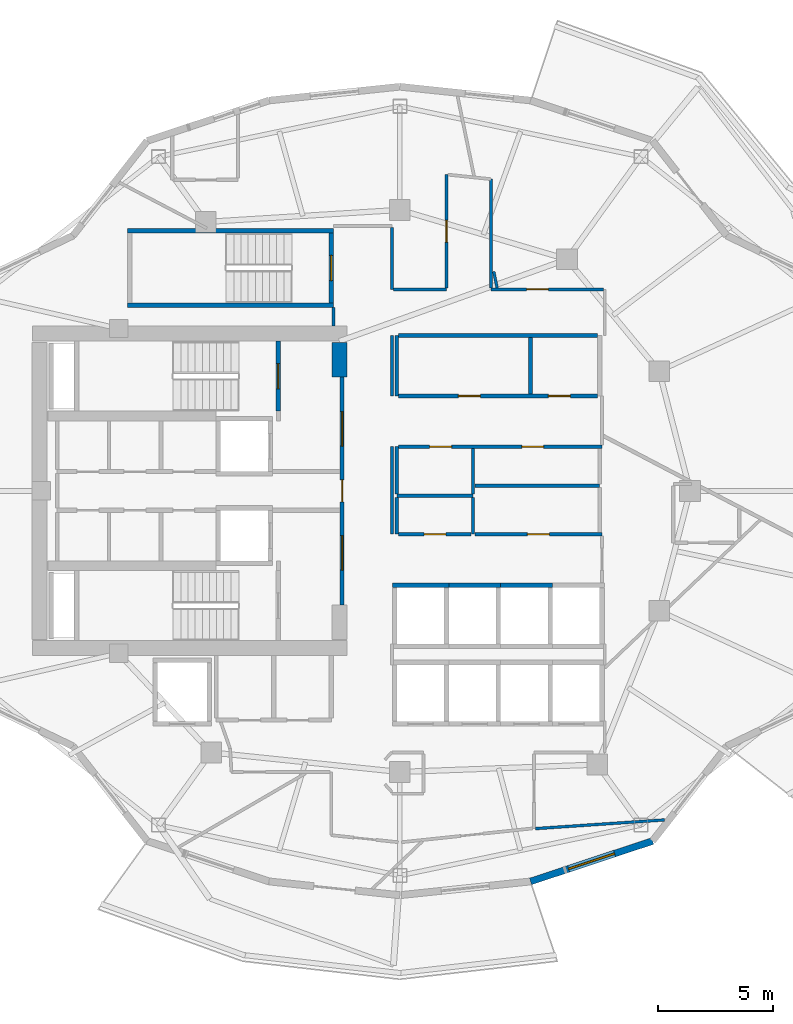
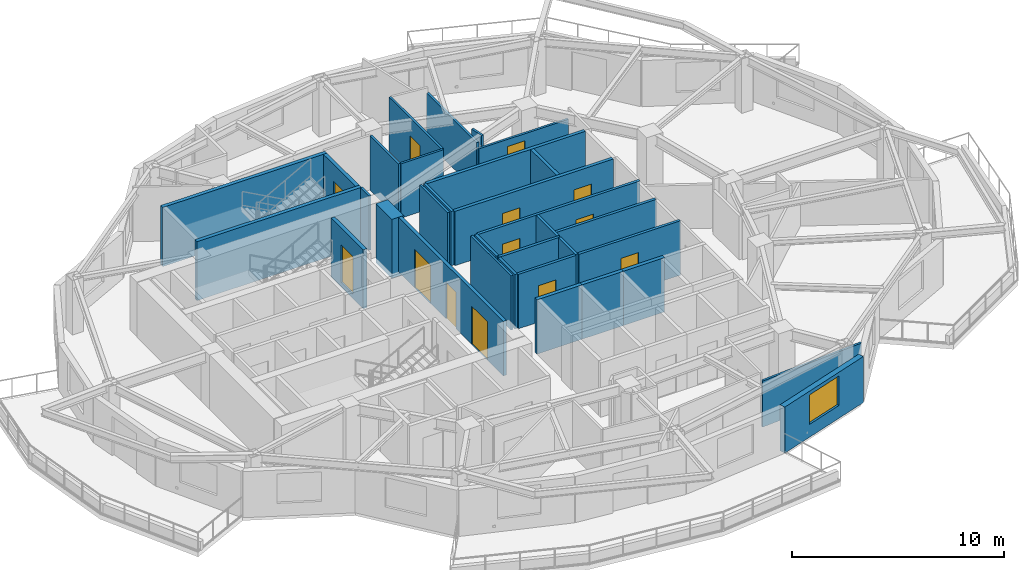
# One storey, part 5 of 11: 33 walls, 13 doors, 1 window, 14 openings.
"""IFC4 building model written with IfcOpenShell, lengths in metres."""

from ifc_helpers import new_model, si_unit, direction, frame, frame_2d, origin, place, context, subcontext, project, spatial, rectangle, extrude, material, layer, layer_set, type_object, element, fill, save


model = new_model("IFC4")

# Units and contexts
model_context = context("Model", 3, precision=1e-05, world=origin(), true_north=direction((0.0, 1.0)))
body_context = subcontext(model_context, "Body", "Model", "MODEL_VIEW")
ifc_project = project(units=[si_unit("LENGTHUNIT", "METRE"), si_unit("AREAUNIT", "SQUARE_METRE"), si_unit("VOLUMEUNIT", "CUBIC_METRE"), si_unit("PLANEANGLEUNIT", "RADIAN"), si_unit("MASSUNIT", "GRAM", prefix="KILO")], contexts=[model_context])

# Site, building, storey
site_placement = place(None, origin())
site = spatial("IfcSite", under=ifc_project, at=site_placement, CompositionType="ELEMENT")
building_placement = place(site_placement, origin())
building = spatial("IfcBuilding", under=site, at=building_placement, Name="Kolvaren Gate Tower and Convention Centre", CompositionType="ELEMENT")
storey_placement = place(building_placement, frame((0.0, 0.0, 159.699951171875)))
storey = spatial("IfcBuildingStorey", under=building, at=storey_placement, Name="L41", CompositionType="ELEMENT", Elevation=159.699951171875)

# Wall, openings, doors
ifc_material_1 = material(Name="Autoclaved Aerated Masonry Blockwork Class 4 (4.0 MPa)", Category="masonry")
ifc_layer_1 = layer(ifc_material_1, 0.179931640625)
ifc_layer_set_1 = layer_set([ifc_layer_1], Name="Autoclaved Aerated Masonry Blockwork Class 4 (4.0 MPa)")
wall_type_1 = type_object("IfcWallType", Name="ARCH-WL-COMP-180", PredefinedType="SOLIDWALL", material=ifc_layer_set_1)
wall_1_placement = place(storey_placement, frame((27.6201171875, 22.050048828125, 0.0), z_axis=(0.0, 0.0, 1.0), x_axis=(0.0, 1.0, 0.0)))
wall_1 = element("IfcWall", 1, at=wall_1_placement, inside=storey, type_object=wall_type_1, Name="Interior Partition WL-L41-INT-003", PredefinedType="SOLIDWALL", context=body_context, shape_type="SweptSolid", body=[
    extrude(rectangle(XDim=9.89990234375, YDim=0.179931640625, at=frame_2d((4.949951171875, 0.0))), origin(), (0.0, 0.0, 1.0), 3.130126953125),
])
opening_1_placement = place(wall_1_placement, frame((4.47509765625, 0.0, 0.0)))
opening_1 = element("IfcOpeningElement", 2, at=opening_1_placement, cuts=wall_1, Name="Opening DR-01", PredefinedType="OPENING", context=body_context, shape_type="SweptSolid", body=[
    extrude(rectangle(XDim=0.949951171875, YDim=2.10009765625, at=frame_2d((0.47509765625, 1.050048828125))), frame((0.0, 0.099853515625, 0.0), z_axis=(0.0, -1.0, 0.0), x_axis=(1.0, 0.0, 0.0)), (0.0, 0.0, 1.0), 0.199951171875),
])
opening_2_placement = place(wall_1_placement, frame((6.889892578125, 0.0, 0.0)))
opening_2 = element("IfcOpeningElement", 3, at=opening_2_placement, cuts=wall_1, Name="Opening DL-01", PredefinedType="OPENING", context=body_context, shape_type="SweptSolid", body=[
    extrude(rectangle(XDim=1.5, YDim=2.199951171875, at=frame_2d((0.75, 1.10009765625))), frame((0.0, 0.099853515625, 0.0), z_axis=(0.0, -1.0, 0.0), x_axis=(1.0, 0.0, 0.0)), (0.0, 0.0, 1.0), 0.199951171875),
])
opening_3_placement = place(wall_1_placement, frame((1.510009765625, 0.0, 0.0)))
opening_3 = element("IfcOpeningElement", 4, at=opening_3_placement, cuts=wall_1, Name="Opening DL-01", PredefinedType="OPENING", context=body_context, shape_type="SweptSolid", body=[
    extrude(rectangle(XDim=1.5, YDim=2.199951171875, at=frame_2d((0.75, 1.10009765625))), frame((0.0, 0.099853515625, 0.0), z_axis=(0.0, -1.0, 0.0), x_axis=(1.0, 0.0, 0.0)), (0.0, 0.0, 1.0), 0.199951171875),
])
ifc_material_2 = material(Name="Painted Architectural Steelwork ASTM A500 Grade C 345 MPa", Category="steel")
door_type_1 = type_object("IfcDoorType", Name="ARCH-DR-LOBBY-1500", OperationType="DOUBLE_DOOR_SINGLE_SWING", PredefinedType="DOOR", material=ifc_material_2)
door_1_placement = place(opening_2_placement, origin())
door_1 = element("IfcDoor", 5, at=door_1_placement, inside=storey, type_object=door_type_1, Name="North Firefighting Stair and Lift Lobby Door", OperationType="DOUBLE_DOOR_SINGLE_SWING", OverallHeight=2.199951171875, OverallWidth=1.5, PredefinedType="DOOR", context=body_context, shape_type="SweptSolid", body=[
    extrude(rectangle(XDim=1.5, YDim=2.199951171875, at=frame_2d((0.75, 1.10009765625))), frame((0.0, 0.02490234375, 0.0), z_axis=(0.0, -1.0, 0.0), x_axis=(1.0, 0.0, 0.0)), (0.0, 0.0, 1.0), 0.050048828125),
])
fill(opening_2, door_1)
door_2_placement = place(opening_3_placement, origin())
door_2 = element("IfcDoor", 6, at=door_2_placement, inside=storey, type_object=door_type_1, Name="South Firefighting Stair and Lift Lobby Door", OperationType="DOUBLE_DOOR_SINGLE_SWING", OverallHeight=2.199951171875, OverallWidth=1.5, PredefinedType="DOOR", context=body_context, shape_type="SweptSolid", body=[
    extrude(rectangle(XDim=1.5, YDim=2.199951171875, at=frame_2d((0.75, 1.10009765625))), frame((0.0, 0.02490234375, 0.0), z_axis=(0.0, -1.0, 0.0), x_axis=(1.0, 0.0, 0.0)), (0.0, 0.0, 1.0), 0.050048828125),
])
fill(opening_3, door_2)
door_type_2 = type_object("IfcDoorType", Name="ARCH-DR-RISER-950", OperationType="SINGLE_SWING_RIGHT", PredefinedType="DOOR", material=ifc_material_2)
door_3_placement = place(opening_1_placement, origin())
door_3 = element("IfcDoor", 7, at=door_3_placement, inside=storey, type_object=door_type_2, Name="Central MEP Service Corridor Door", OperationType="SINGLE_SWING_LEFT", OverallHeight=2.10009765625, OverallWidth=0.949951171875, PredefinedType="DOOR", context=body_context, shape_type="SweptSolid", body=[
    extrude(rectangle(XDim=0.949951171875, YDim=2.10009765625, at=frame_2d((0.47509765625, 1.050048828125))), frame((0.0, 0.02490234375, 0.0), z_axis=(0.0, -1.0, 0.0), x_axis=(1.0, 0.0, 0.0)), (0.0, 0.0, 1.0), 0.050048828125),
])
fill(opening_1, door_3)

wall_2_placement = place(storey_placement, frame((30.076904296875, 31.1201171875, 0.0), z_axis=(0.0, 0.0, 1.0), x_axis=(1.0, 0.0, 0.0)))
wall_2 = element("IfcWall", 8, at=wall_2_placement, inside=storey, type_object=wall_type_1, Name="Interior Partition WL-L41-INT-025", PredefinedType="SOLIDWALL", context=body_context, shape_type="SweptSolid", body=[
    extrude(rectangle(XDim=8.631103515625, YDim=0.179931640625, at=frame_2d((4.3154296875, 0.0))), origin(), (0.0, 0.0, 1.0), 3.130126953125),
])
opening_4_placement = place(wall_2_placement, frame((2.591552734375, 0.0, 0.0)))
opening_4 = element("IfcOpeningElement", 9, at=opening_4_placement, cuts=wall_2, Name="Opening DR-01", PredefinedType="OPENING", context=body_context, shape_type="SweptSolid", body=[
    extrude(rectangle(XDim=0.949951171875, YDim=2.10009765625, at=frame_2d((0.47509765625, 1.050048828125))), frame((0.0, 0.099853515625, 0.0), z_axis=(0.0, -1.0, 0.0), x_axis=(1.0, 0.0, 0.0)), (0.0, 0.0, 1.0), 0.199951171875),
])
opening_5_placement = place(wall_2_placement, frame((6.4970703125, 0.0, 0.0)))
opening_5 = element("IfcOpeningElement", 10, at=opening_5_placement, cuts=wall_2, Name="Opening DR-01", PredefinedType="OPENING", context=body_context, shape_type="SweptSolid", body=[
    extrude(rectangle(XDim=0.949951171875, YDim=2.10009765625, at=frame_2d((0.47509765625, 1.050048828125))), frame((0.0, 0.099853515625, 0.0), z_axis=(0.0, -1.0, 0.0), x_axis=(1.0, 0.0, 0.0)), (0.0, 0.0, 1.0), 0.199951171875),
])
door_4_placement = place(opening_4_placement, origin())
door_4 = element("IfcDoor", 11, at=door_4_placement, inside=storey, type_object=door_type_2, Name="Steward Supply Store Door", OperationType="SINGLE_SWING_RIGHT", OverallHeight=2.10009765625, OverallWidth=0.949951171875, PredefinedType="DOOR", context=body_context, shape_type="SweptSolid", body=[
    extrude(rectangle(XDim=0.949951171875, YDim=2.10009765625, at=frame_2d((0.47509765625, 1.050048828125))), frame((0.0, 0.02490234375, 0.0), z_axis=(0.0, -1.0, 0.0), x_axis=(1.0, 0.0, 0.0)), (0.0, 0.0, 1.0), 0.050048828125),
])
fill(opening_4, door_4)
door_5_placement = place(opening_5_placement, origin())
door_5 = element("IfcDoor", 12, at=door_5_placement, inside=storey, type_object=door_type_2, Name="Floor Telecom Switch Room Door", OperationType="SINGLE_SWING_LEFT", OverallHeight=2.10009765625, OverallWidth=0.949951171875, PredefinedType="DOOR", context=body_context, shape_type="SweptSolid", body=[
    extrude(rectangle(XDim=0.949951171875, YDim=2.10009765625, at=frame_2d((0.47509765625, 1.050048828125))), frame((0.0, 0.02490234375, 0.0), z_axis=(0.0, -1.0, 0.0), x_axis=(1.0, 0.0, 0.0)), (0.0, 0.0, 1.0), 0.050048828125),
])
fill(opening_5, door_5)

# Walls
wall_3_placement = place(storey_placement, frame((30.076904296875, 33.75, 0.0), z_axis=(0.0, 0.0, 1.0), x_axis=(1.0, 0.0, 0.0)))
element("IfcWall", 13, at=wall_3_placement, inside=storey, type_object=wall_type_1, Name="Interior Partition WL-L41-INT-026", PredefinedType="SOLIDWALL", context=body_context, shape_type="SweptSolid", body=[
    extrude(rectangle(XDim=8.631103515625, YDim=0.179931640625, at=frame_2d((4.3154296875, 0.0))), origin(), (0.0, 0.0, 1.0), 3.130126953125),
])
wall_4_placement = place(storey_placement, frame((35.800048828125, 31.2119140625, 0.0), z_axis=(0.0, 0.0, 1.0), x_axis=(0.0, 1.0, 0.0)))
element("IfcWall", 14, at=wall_4_placement, inside=storey, type_object=wall_type_1, Name="Interior Partition WL-L41-INT-027", PredefinedType="SOLIDWALL", context=body_context, shape_type="SweptSolid", body=[
    extrude(rectangle(XDim=2.446044921875, YDim=0.179931640625, at=frame_2d((1.22314453125, 0.0))), origin(), (0.0, 0.0, 1.0), 3.130126953125),
])
ifc_material_3 = material(Name="Fire-Rated Acoustic Gypsum Stud Partition", Category="gypsum")
ifc_layer_2 = layer(ifc_material_3, 0.1201171875)
ifc_layer_set_2 = layer_set([ifc_layer_2], Name="Fire-Rated Acoustic Gypsum Stud Partition")
wall_type_2 = type_object("IfcWallType", Name="ARCH-WL-PART-120", PredefinedType="PARTITIONING", material=ifc_layer_set_2)
wall_5_placement = place(storey_placement, frame((27.25, 34.152099609375, 0.0), z_axis=(0.0, 0.0, 1.0), x_axis=(0.0, 1.0, 0.0)))
element("IfcWall", 15, at=wall_5_placement, inside=storey, type_object=wall_type_2, Name="Interior Partition WL-L41-INT-038", PredefinedType="PARTITIONING", context=body_context, shape_type="SweptSolid", body=[
    extrude(rectangle(XDim=0.805908203125, YDim=0.1201171875, at=frame_2d((0.40283203125, 0.0))), origin(), (0.0, 0.0, 1.0), 3.130126953125),
])
wall_6_placement = place(storey_placement, frame((29.780029296875, 25.1201171875, 0.0), z_axis=(0.0, 0.0, 1.0), x_axis=(0.0, 1.0, 0.0)))
element("IfcWall", 16, at=wall_6_placement, inside=storey, type_object=wall_type_2, Name="Interior Partition WL-L41-INT-041", PredefinedType="PARTITIONING", context=body_context, shape_type="SweptSolid", body=[
    extrude(rectangle(XDim=3.7998046875, YDim=0.1201171875, at=frame_2d((1.89990234375, 0.0))), origin(), (0.0, 0.0, 1.0), 3.130126953125),
])
wall_7_placement = place(storey_placement, frame((29.780029296875, 31.1201171875, 0.0), z_axis=(0.0, 0.0, 1.0), x_axis=(0.0, 1.0, 0.0)))
element("IfcWall", 17, at=wall_7_placement, inside=storey, type_object=wall_type_2, Name="Interior Partition WL-L41-INT-042", PredefinedType="PARTITIONING", context=body_context, shape_type="SweptSolid", body=[
    extrude(rectangle(XDim=2.6298828125, YDim=0.1201171875, at=frame_2d((1.31494140625, 0.0))), origin(), (0.0, 0.0, 1.0), 3.130126953125),
])
wall_8_placement = place(storey_placement, frame((29.780029296875, 35.75, 0.0), z_axis=(0.0, 0.0, 1.0), x_axis=(0.0, 1.0, 0.0)))
element("IfcWall", 18, at=wall_8_placement, inside=storey, type_object=wall_type_2, Name="Interior Partition WL-L41-INT-043", PredefinedType="PARTITIONING", context=body_context, shape_type="SweptSolid", body=[
    extrude(rectangle(XDim=2.68798828125, YDim=0.1201171875, at=frame_2d((1.343994140625, 0.0))), origin(), (0.0, 0.0, 1.0), 3.130126953125),
])
wall_9_placement = place(storey_placement, frame((29.842041015625, 35.75, 0.0), z_axis=(0.0, 0.0, 1.0), x_axis=(1.0, 0.0, 0.0)))
element("IfcWall", 19, at=wall_9_placement, inside=storey, type_object=wall_type_2, Name="Interior Partition WL-L41-INT-044", PredefinedType="PARTITIONING", context=body_context, shape_type="SweptSolid", body=[
    extrude(rectangle(XDim=2.307861328125, YDim=0.1201171875, at=frame_2d((1.15380859375, 0.0))), origin(), (0.0, 0.0, 1.0), 3.130126953125),
])

# Wall, opening, door
wall_10_placement = place(storey_placement, frame((34.080078125, 35.75, 0.0), z_axis=(0.0, 0.0, 1.0), x_axis=(1.0, 0.0, 0.0)))
wall_10 = element("IfcWall", 20, at=wall_10_placement, inside=storey, type_object=wall_type_2, Name="Interior Partition WL-L41-INT-045", PredefinedType="PARTITIONING", context=body_context, shape_type="SweptSolid", body=[
    extrude(rectangle(XDim=4.8779296875, YDim=0.1201171875, at=frame_2d((2.43896484375, 0.0))), origin(), (0.0, 0.0, 1.0), 2.505126953125),
])
opening_6_placement = place(wall_10_placement, frame((1.5439453125, 0.0, 0.0)))
opening_6 = element("IfcOpeningElement", 21, at=opening_6_placement, cuts=wall_10, Name="Opening DR-01", PredefinedType="OPENING", context=body_context, shape_type="SweptSolid", body=[
    extrude(rectangle(XDim=0.949951171875, YDim=2.10009765625, at=frame_2d((0.47509765625, 1.050048828125))), frame((0.0, 0.070068359375, 0.0), z_axis=(0.0, -1.0, 0.0), x_axis=(1.0, 0.0, 0.0)), (0.0, 0.0, 1.0), 0.14013671875),
])
door_6_placement = place(opening_6_placement, origin())
door_6 = element("IfcDoor", 22, at=door_6_placement, inside=storey, type_object=door_type_2, Name="Hotel Botanical Clubroom Door", OperationType="SINGLE_SWING_LEFT", OverallHeight=2.10009765625, OverallWidth=0.949951171875, PredefinedType="DOOR", context=body_context, shape_type="SweptSolid", body=[
    extrude(rectangle(XDim=0.949951171875, YDim=2.10009765625, at=frame_2d((0.47509765625, 1.050048828125))), frame((0.0, 0.02490234375, 0.0), z_axis=(0.0, -1.0, 0.0), x_axis=(1.0, 0.0, 0.0)), (0.0, 0.0, 1.0), 0.050048828125),
])
fill(opening_6, door_6)

wall_11_placement = place(storey_placement, frame((32.14990234375, 35.81201171875, 0.0), z_axis=(0.0, 0.0, 1.0), x_axis=(0.0, 1.0, 0.0)))
wall_11 = element("IfcWall", 23, at=wall_11_placement, inside=storey, type_object=wall_type_2, Name="Interior Partition WL-L41-INT-046", PredefinedType="PARTITIONING", context=body_context, shape_type="SweptSolid", body=[
    extrude(rectangle(XDim=4.925048828125, YDim=0.1201171875, at=frame_2d((2.46240234375, 0.0))), origin(), (0.0, 0.0, 1.0), 3.130126953125),
])
opening_7_placement = place(wall_11_placement, frame((1.987548828125, 0.0, 0.0)))
opening_7 = element("IfcOpeningElement", 24, at=opening_7_placement, cuts=wall_11, Name="Opening DR-01", PredefinedType="OPENING", context=body_context, shape_type="SweptSolid", body=[
    extrude(rectangle(XDim=0.949951171875, YDim=2.10009765625, at=frame_2d((0.47509765625, 1.050048828125))), frame((0.0, 0.070068359375, 0.0), z_axis=(0.0, -1.0, 0.0), x_axis=(1.0, 0.0, 0.0)), (0.0, 0.0, 1.0), 0.14013671875),
])
door_7_placement = place(opening_7_placement, origin())
door_7 = element("IfcDoor", 25, at=door_7_placement, inside=storey, type_object=door_type_2, Name="Hotel Guest Room (HTL-L41-07) Door", OperationType="SINGLE_SWING_RIGHT", OverallHeight=2.10009765625, OverallWidth=0.949951171875, PredefinedType="DOOR", context=body_context, shape_type="SweptSolid", body=[
    extrude(rectangle(XDim=0.949951171875, YDim=2.10009765625, at=frame_2d((0.47509765625, 1.050048828125))), frame((0.0, 0.02490234375, 0.0), z_axis=(0.0, -1.0, 0.0), x_axis=(1.0, 0.0, 0.0)), (0.0, 0.0, 1.0), 0.050048828125),
])
fill(opening_7, door_7)

# Walls
wall_12_placement = place(storey_placement, frame((34.080078125, 35.81201171875, 0.0), z_axis=(0.0, 0.0, 1.0), x_axis=(0.0, 1.0, 0.0)))
element("IfcWall", 26, at=wall_12_placement, inside=storey, type_object=wall_type_2, Name="Interior Partition WL-L41-INT-048", PredefinedType="PARTITIONING", context=body_context, shape_type="SweptSolid", body=[
    extrude(rectangle(XDim=4.721923828125, YDim=0.1201171875, at=frame_2d((2.36083984375, 0.0))), origin(), (0.0, 0.0, 1.0), 2.81201171875),
])
wall_13_placement = place(storey_placement, frame((36.011962890625, 12.34033203125, 0.0), z_axis=(0.0, 0.0, 1.0), x_axis=(0.997733146572, 0.067294637466, 0.0)))
element("IfcWall", 27, at=wall_13_placement, inside=storey, type_object=wall_type_2, Name="Interior Partition WL-L41-INT-060", PredefinedType="PARTITIONING", context=body_context, shape_type="SweptSolid", body=[
    extrude(rectangle(XDim=5.61962890625, YDim=0.1201171875, at=frame_2d((2.809814453125, 0.0))), origin(), (0.0, 0.0, 1.0), 2.653076171875),
])
wall_14_placement = place(storey_placement, frame((34.201904296875, 36.520751953125, 0.0), z_axis=(0.0, 0.0, 1.0), x_axis=(0.202081256143, -0.979368758903, 0.0)))
element("IfcWall", 28, at=wall_14_placement, inside=storey, type_object=wall_type_2, Name="Interior Partition WL-L41-INT-066", PredefinedType="PARTITIONING", context=body_context, shape_type="SweptSolid", body=[
    extrude(rectangle(XDim=0.7236328125, YDim=0.1201171875, at=frame_2d((0.36181640625, 0.0))), origin(), (0.0, 0.0, 1.0), 3.130126953125),
])
ifc_layer_3 = layer(ifc_material_1, 0.199951171875)
ifc_layer_set_3 = layer_set([ifc_layer_3], Name="Autoclaved Aerated Masonry Blockwork Class 4 (4.0 MPa)")
wall_type_3 = type_object("IfcWallType", Name="ARCH-WL-SHAFT-200", PredefinedType="SOLIDWALL", material=ifc_layer_set_3)
wall_15_placement = place(storey_placement, frame((29.800048828125, 22.89990234375, 0.0), z_axis=(0.0, 0.0, 1.0), x_axis=(1.0, 0.0, 0.0)))
element("IfcWall", 29, at=wall_15_placement, inside=storey, type_object=wall_type_3, Name="Elevator PL-09 L41 Fire Shaft Wall N", PredefinedType="SOLIDWALL", context=body_context, shape_type="SweptSolid", body=[
    extrude(rectangle(XDim=2.449951171875, YDim=0.199951171875, at=frame_2d((1.22509765625, 0.0))), origin(), (0.0, 0.0, 1.0), 3.130126953125),
])
for number, where, z_axis, x_axis, name in (
    (30, (32.25, 22.89990234375, 0.0), (0.0, 0.0, 1.0), (1.0, 0.0, 0.0), "Elevator PL-10 L41 Fire Shaft Wall N"),
    (31, (34.5, 22.89990234375, 0.0), (0.0, 0.0, 1.0), (1.0, 0.0, 0.0), "Elevator PL-11 L41 Fire Shaft Wall N"),
):
    element("IfcWall", number, at=place(storey_placement, frame(where, z_axis=z_axis, x_axis=x_axis)), inside=storey, type_object=wall_type_3, Name=name, PredefinedType="SOLIDWALL", context=body_context, shape_type="SweptSolid", body=[
        extrude(rectangle(XDim=2.25, YDim=0.199951171875, at=frame_2d((1.125, 0.0))), origin(), (0.0, 0.0, 1.0), 3.130126953125),
    ])

# Wall, opening, window
ifc_material_4 = material(Name="Piedmont Cream Honed Limestone Cladding", Category="masonry")
ifc_layer_4 = layer(ifc_material_4, 0.300048828125)
ifc_layer_set_4 = layer_set([ifc_layer_4], Name="Piedmont Cream Honed Limestone Cladding")
wall_type_4 = type_object("IfcWallType", Name="ARCH-WL-STONE-300", PredefinedType="SOLIDWALL", material=ifc_layer_set_4)
wall_16_placement = place(storey_placement, frame((35.802734375, 10.048095703125, 0.0), z_axis=(0.0, 0.0, 1.0), x_axis=(0.949246811547, 0.314532177636, 0.0)))
wall_16 = element("IfcWall", 32, at=wall_16_placement, inside=storey, type_object=wall_type_4, Name="Tower L41 Honed Stone Spandrel Wall EW-19", PredefinedType="SOLIDWALL", context=body_context, shape_type="SweptSolid", body=[
    extrude(rectangle(XDim=5.573974609375, YDim=0.300048828125, at=frame_2d((2.787109375, 0.0))), origin(), (0.0, 0.0, 1.0), 2.653076171875),
])
opening_8_placement = place(wall_16_placement, frame((1.737060546875, 0.0, 0.739990234375)))
opening_8 = element("IfcOpeningElement", 33, at=opening_8_placement, cuts=wall_16, Name="Opening W-02", PredefinedType="OPENING", context=body_context, shape_type="SweptSolid", body=[
    extrude(rectangle(XDim=2.10009765625, YDim=1.699951171875, at=frame_2d((1.050048828125, 0.85009765625))), frame((0.0, 0.159912109375, 0.0), z_axis=(0.0, -1.0, 0.0), x_axis=(1.0, 0.0, 0.0)), (0.0, 0.0, 1.0), 0.320068359375),
])
ifc_material_5 = material(Name="Low-E Triple Insulated Glazing Unit 44 mm", Category="glass")
window_type = type_object("IfcWindowType", Name="ARCH-WN-HTL-2100", PartitioningType="SINGLE_PANEL", PredefinedType="WINDOW", material=ifc_material_5)
window_placement = place(opening_8_placement, origin())
window = element("IfcWindow", 34, at=window_placement, inside=storey, type_object=window_type, Name="Tower L41 Punched Stone Facade Window W-19", OverallHeight=1.699951171875, OverallWidth=2.10009765625, PartitioningType="SINGLE_PANEL", PredefinedType="WINDOW", context=body_context, shape_type="SweptSolid", body=[
    extrude(rectangle(XDim=2.10009765625, YDim=1.699951171875, at=frame_2d((1.050048828125, 0.85009765625))), frame((0.0, 0.030029296875, 0.0), z_axis=(0.0, -1.0, 0.0), x_axis=(1.0, 0.0, 0.0)), (0.0, 0.0, 1.0), 0.06005859375),
])
fill(opening_8, window)

# Walls
ifc_material_6 = material(Name="Moisture-Resistant Cement-Board Acoustic Partition", Category="gypsum")
ifc_layer_5 = layer(ifc_material_6, 0.14990234375)
ifc_layer_set_5 = layer_set([ifc_layer_5], Name="Moisture-Resistant Cement-Board Acoustic Partition")
wall_type_5 = type_object("IfcWallType", Name="ARCH-WL-WET-150", PredefinedType="PARTITIONING", material=ifc_layer_set_5)
wall_17_placement = place(storey_placement, frame((30.0, 26.800048828125, 0.0), z_axis=(0.0, 0.0, 1.0), x_axis=(1.0, 0.0, 0.0)))
element("IfcWall", 35, at=wall_17_placement, inside=storey, type_object=wall_type_5, Name="Interior Partition WL-L41-INT-016", PredefinedType="PARTITIONING", context=body_context, shape_type="SweptSolid", body=[
    extrude(rectangle(XDim=3.300048828125, YDim=0.14990234375, at=frame_2d((1.64990234375, 0.0))), origin(), (0.0, 0.0, 1.0), 3.130126953125),
])
wall_18_placement = place(storey_placement, frame((30.0, 25.1201171875, 0.0), z_axis=(0.0, 0.0, 1.0), x_axis=(0.0, 1.0, 0.0)))
element("IfcWall", 36, at=wall_18_placement, inside=storey, type_object=wall_type_5, Name="Interior Partition WL-L41-INT-017", PredefinedType="PARTITIONING", context=body_context, shape_type="SweptSolid", body=[
    extrude(rectangle(XDim=1.602783203125, YDim=0.14990234375, at=frame_2d((0.80126953125, 0.0))), origin(), (0.0, 0.0, 1.0), 3.130126953125),
])
wall_19_placement = place(storey_placement, frame((30.0, 26.876953125, 0.0), z_axis=(0.0, 0.0, 1.0), x_axis=(0.0, 1.0, 0.0)))
element("IfcWall", 37, at=wall_19_placement, inside=storey, type_object=wall_type_5, Name="Interior Partition WL-L41-INT-017 (2)", PredefinedType="PARTITIONING", context=body_context, shape_type="SweptSolid", body=[
    extrude(rectangle(XDim=2.04296875, YDim=0.14990234375, at=frame_2d((1.021484375, 0.0))), origin(), (0.0, 0.0, 1.0), 3.130126953125),
])
wall_20_placement = place(storey_placement, frame((30.0, 31.1201171875, 0.0), z_axis=(0.0, 0.0, 1.0), x_axis=(0.0, 1.0, 0.0)))
element("IfcWall", 38, at=wall_20_placement, inside=storey, type_object=wall_type_5, Name="Interior Partition WL-L41-INT-018", PredefinedType="PARTITIONING", context=body_context, shape_type="SweptSolid", body=[
    extrude(rectangle(XDim=2.6298828125, YDim=0.14990234375, at=frame_2d((1.31494140625, 0.0))), origin(), (0.0, 0.0, 1.0), 3.130126953125),
])

# Wall, openings, doors
wall_21_placement = place(storey_placement, frame((30.076904296875, 28.919921875, 0.0), z_axis=(0.0, 0.0, 1.0), x_axis=(1.0, 0.0, 0.0)))
wall_21 = element("IfcWall", 39, at=wall_21_placement, inside=storey, type_object=wall_type_5, Name="Interior Partition WL-L41-INT-019", PredefinedType="PARTITIONING", context=body_context, shape_type="SweptSolid", body=[
    extrude(rectangle(XDim=8.822998046875, YDim=0.14990234375, at=frame_2d((4.41162109375, 0.0))), origin(), (0.0, 0.0, 1.0), 3.130126953125),
])
opening_9_placement = place(wall_21_placement, frame((1.341552734375, 0.0, 0.0)))
opening_9 = element("IfcOpeningElement", 40, at=opening_9_placement, cuts=wall_21, Name="Opening DR-01", PredefinedType="OPENING", context=body_context, shape_type="SweptSolid", body=[
    extrude(rectangle(XDim=0.949951171875, YDim=2.10009765625, at=frame_2d((0.47509765625, 1.050048828125))), frame((0.0, 0.0849609375, 0.0), z_axis=(0.0, -1.0, 0.0), x_axis=(1.0, 0.0, 0.0)), (0.0, 0.0, 1.0), 0.169921875),
])
opening_10_placement = place(wall_21_placement, frame((5.343017578125, 0.0, 0.0)))
opening_10 = element("IfcOpeningElement", 41, at=opening_10_placement, cuts=wall_21, Name="Opening DR-01", PredefinedType="OPENING", context=body_context, shape_type="SweptSolid", body=[
    extrude(rectangle(XDim=0.949951171875, YDim=2.10009765625, at=frame_2d((0.47509765625, 1.050048828125))), frame((0.0, 0.0849609375, 0.0), z_axis=(0.0, -1.0, 0.0), x_axis=(1.0, 0.0, 0.0)), (0.0, 0.0, 1.0), 0.169921875),
])
door_8_placement = place(opening_9_placement, origin())
door_8 = element("IfcDoor", 42, at=door_8_placement, inside=storey, type_object=door_type_2, Name="Accessible North Washroom Door", OperationType="SINGLE_SWING_RIGHT", OverallHeight=2.10009765625, OverallWidth=0.949951171875, PredefinedType="DOOR", context=body_context, shape_type="SweptSolid", body=[
    extrude(rectangle(XDim=0.949951171875, YDim=2.10009765625, at=frame_2d((0.47509765625, 1.050048828125))), frame((0.0, 0.02490234375, 0.0), z_axis=(0.0, -1.0, 0.0), x_axis=(1.0, 0.0, 0.0)), (0.0, 0.0, 1.0), 0.050048828125),
])
fill(opening_9, door_8)
door_9_placement = place(opening_10_placement, origin())
door_9 = element("IfcDoor", 43, at=door_9_placement, inside=storey, type_object=door_type_2, Name="Hotel Housekeeping and Linen Store Door", OperationType="SINGLE_SWING_RIGHT", OverallHeight=2.10009765625, OverallWidth=0.949951171875, PredefinedType="DOOR", context=body_context, shape_type="SweptSolid", body=[
    extrude(rectangle(XDim=0.949951171875, YDim=2.10009765625, at=frame_2d((0.47509765625, 1.050048828125))), frame((0.0, 0.02490234375, 0.0), z_axis=(0.0, -1.0, 0.0), x_axis=(1.0, 0.0, 0.0)), (0.0, 0.0, 1.0), 0.050048828125),
])
fill(opening_10, door_9)

# Walls
wall_22_placement = place(storey_placement, frame((33.300048828125, 25.1201171875, 0.0), z_axis=(0.0, 0.0, 1.0), x_axis=(0.0, 1.0, 0.0)))
element("IfcWall", 44, at=wall_22_placement, inside=storey, type_object=wall_type_5, Name="Interior Partition WL-L41-INT-020", PredefinedType="PARTITIONING", context=body_context, shape_type="SweptSolid", body=[
    extrude(rectangle(XDim=1.602783203125, YDim=0.14990234375, at=frame_2d((0.80126953125, 0.0))), origin(), (0.0, 0.0, 1.0), 3.130126953125),
])
wall_23_placement = place(storey_placement, frame((33.300048828125, 26.876953125, 0.0), z_axis=(0.0, 0.0, 1.0), x_axis=(0.0, 1.0, 0.0)))
element("IfcWall", 45, at=wall_23_placement, inside=storey, type_object=wall_type_5, Name="Interior Partition WL-L41-INT-020 (2)", PredefinedType="PARTITIONING", context=body_context, shape_type="SweptSolid", body=[
    extrude(rectangle(XDim=1.966064453125, YDim=0.14990234375, at=frame_2d((0.98291015625, 0.0))), origin(), (0.0, 0.0, 1.0), 3.130126953125),
])

# Wall, opening, door
wall_24_placement = place(storey_placement, frame((30.076904296875, 25.1201171875, 0.0), z_axis=(0.0, 0.0, 1.0), x_axis=(1.0, 0.0, 0.0)))
wall_24 = element("IfcWall", 46, at=wall_24_placement, inside=storey, type_object=wall_type_5, Name="Interior Partition WL-L41-INT-021", PredefinedType="PARTITIONING", context=body_context, shape_type="SweptSolid", body=[
    extrude(rectangle(XDim=3.14599609375, YDim=0.14990234375, at=frame_2d((1.572998046875, 0.0))), origin(), (0.0, 0.0, 1.0), 3.130126953125),
])
opening_11_placement = place(wall_24_placement, frame((1.097900390625, 0.0, 0.0)))
opening_11 = element("IfcOpeningElement", 47, at=opening_11_placement, cuts=wall_24, Name="Opening DR-01", PredefinedType="OPENING", context=body_context, shape_type="SweptSolid", body=[
    extrude(rectangle(XDim=0.949951171875, YDim=2.10009765625, at=frame_2d((0.47509765625, 1.050048828125))), frame((0.0, 0.0849609375, 0.0), z_axis=(0.0, -1.0, 0.0), x_axis=(1.0, 0.0, 0.0)), (0.0, 0.0, 1.0), 0.169921875),
])
door_10_placement = place(opening_11_placement, origin())
door_10 = element("IfcDoor", 48, at=door_10_placement, inside=storey, type_object=door_type_2, Name="South Visitor Washroom Door", OperationType="SINGLE_SWING_LEFT", OverallHeight=2.10009765625, OverallWidth=0.949951171875, PredefinedType="DOOR", context=body_context, shape_type="SweptSolid", body=[
    extrude(rectangle(XDim=0.949951171875, YDim=2.10009765625, at=frame_2d((0.47509765625, 1.050048828125))), frame((0.0, 0.02490234375, 0.0), z_axis=(0.0, -1.0, 0.0), x_axis=(1.0, 0.0, 0.0)), (0.0, 0.0, 1.0), 0.050048828125),
])
fill(opening_11, door_10)

wall_25_placement = place(storey_placement, frame((33.376953125, 25.1201171875, 0.0), z_axis=(0.0, 0.0, 1.0), x_axis=(1.0, 0.0, 0.0)))
wall_25 = element("IfcWall", 49, at=wall_25_placement, inside=storey, type_object=wall_type_5, Name="Interior Partition WL-L41-INT-021 (2)", PredefinedType="PARTITIONING", context=body_context, shape_type="SweptSolid", body=[
    extrude(rectangle(XDim=5.52294921875, YDim=0.14990234375, at=frame_2d((2.761474609375, 0.0))), origin(), (0.0, 0.0, 1.0), 3.130126953125),
])
opening_12_placement = place(wall_25_placement, frame((2.28662109375, 0.0, 0.0)))
opening_12 = element("IfcOpeningElement", 50, at=opening_12_placement, cuts=wall_25, Name="Opening DR-01", PredefinedType="OPENING", context=body_context, shape_type="SweptSolid", body=[
    extrude(rectangle(XDim=0.949951171875, YDim=2.10009765625, at=frame_2d((0.47509765625, 1.050048828125))), frame((0.0, 0.0849609375, 0.0), z_axis=(0.0, -1.0, 0.0), x_axis=(1.0, 0.0, 0.0)), (0.0, 0.0, 1.0), 0.169921875),
])
door_11_placement = place(opening_12_placement, origin())
door_11 = element("IfcDoor", 51, at=door_11_placement, inside=storey, type_object=door_type_2, Name="Floor Coffee Pantry Door", OperationType="SINGLE_SWING_LEFT", OverallHeight=2.10009765625, OverallWidth=0.949951171875, PredefinedType="DOOR", context=body_context, shape_type="SweptSolid", body=[
    extrude(rectangle(XDim=0.949951171875, YDim=2.10009765625, at=frame_2d((0.47509765625, 1.050048828125))), frame((0.0, 0.02490234375, 0.0), z_axis=(0.0, -1.0, 0.0), x_axis=(1.0, 0.0, 0.0)), (0.0, 0.0, 1.0), 0.050048828125),
])
fill(opening_12, door_11)

# Walls
wall_26_placement = place(storey_placement, frame((33.376953125, 27.219970703125, 0.0), z_axis=(0.0, 0.0, 1.0), x_axis=(1.0, 0.0, 0.0)))
element("IfcWall", 52, at=wall_26_placement, inside=storey, type_object=wall_type_5, Name="Interior Partition WL-L41-INT-022", PredefinedType="PARTITIONING", context=body_context, shape_type="SweptSolid", body=[
    extrude(rectangle(XDim=5.423095703125, YDim=0.14990234375, at=frame_2d((2.71142578125, 0.0))), origin(), (0.0, 0.0, 1.0), 3.130126953125),
])
ifc_material_7 = material(Name="Concrete C60/75", Category="concrete")
ifc_layer_6 = layer(ifc_material_7, 0.64990234375)
ifc_layer_set_6 = layer_set([ifc_layer_6], Name="Concrete C60/75")
wall_type_6 = type_object("IfcWallType", Name="STR-WL-CORE-650", PredefinedType="SHEAR", material=ifc_layer_set_6)
wall_27_placement = place(storey_placement, frame((27.5, 31.949951171875, -0.27001953125), z_axis=(0.0, 0.0, 1.0), x_axis=(0.0, 1.0, 0.0)))
element("IfcWall", 53, at=wall_27_placement, inside=storey, type_object=wall_type_6, Name="Tower L41 Offset Core Shear Wall EN", PredefinedType="SHEAR", context=body_context, shape_type="SweptSolid", body=[
    extrude(rectangle(XDim=1.5, YDim=0.64990234375, at=frame_2d((0.75, 0.0))), origin(), (0.0, 0.0, 1.0), 3.400146484375),
])

# Wall, opening, door
ifc_material_8 = material(Name="Concrete C50/60", Category="concrete")
ifc_layer_7 = layer(ifc_material_8, 0.199951171875)
ifc_layer_set_7 = layer_set([ifc_layer_7], Name="Concrete C50/60")
wall_type_7 = type_object("IfcWallType", Name="STR-WL-SHAFT-200", PredefinedType="SHEAR", material=ifc_layer_set_7)
wall_28_placement = place(storey_placement, frame((24.85009765625, 30.4599609375, -0.27001953125), z_axis=(0.0, 0.0, 1.0), x_axis=(0.0, 1.0, 0.0)))
wall_28 = element("IfcWall", 54, at=wall_28_placement, inside=storey, type_object=wall_type_7, Name="Tower North Exit Stair ST-T1 L41 Structural Shear Enclosure Wall NEAR", PredefinedType="SHEAR", context=body_context, shape_type="SweptSolid", body=[
    extrude(rectangle(XDim=3.0380859375, YDim=0.199951171875, at=frame_2d((1.51904296875, 0.0))), origin(), (0.0, 0.0, 1.0), 3.400146484375),
])
opening_13_placement = place(wall_28_placement, frame((0.968994140625, 0.0, 0.27001953125)))
opening_13 = element("IfcOpeningElement", 55, at=opening_13_placement, cuts=wall_28, Name="Opening DS-01", PredefinedType="OPENING", context=body_context, shape_type="SweptSolid", body=[
    extrude(rectangle(XDim=1.10009765625, YDim=2.14990234375, at=frame_2d((0.550048828125, 1.074951171875))), frame((0.0, 0.10986328125, 0.0), z_axis=(0.0, -1.0, 0.0), x_axis=(1.0, 0.0, 0.0)), (0.0, 0.0, 1.0), 0.219970703125),
])
door_type_3 = type_object("IfcDoorType", Name="ARCH-DR-STAIR-1100", OperationType="SINGLE_SWING_LEFT", PredefinedType="DOOR", material=ifc_material_2)
door_12_placement = place(opening_13_placement, origin())
door_12 = element("IfcDoor", 56, at=door_12_placement, inside=storey, type_object=door_type_3, Name="Tower North Exit Stair ST-T1 L41 Fire Exit Stair Door", OperationType="SINGLE_SWING_LEFT", OverallHeight=2.14990234375, OverallWidth=1.10009765625, PredefinedType="DOOR", context=body_context, shape_type="SweptSolid", body=[
    extrude(rectangle(XDim=1.10009765625, YDim=2.14990234375, at=frame_2d((0.550048828125, 1.074951171875))), frame((0.0, 0.02490234375, 0.0), z_axis=(0.0, -1.0, 0.0), x_axis=(1.0, 0.0, 0.0)), (0.0, 0.0, 1.0), 0.050048828125),
])
fill(opening_13, door_12)

wall_29_placement = place(storey_placement, frame((27.14990234375, 35.159912109375, -0.27001953125), z_axis=(0.0, 0.0, 1.0), x_axis=(0.0, 1.0, 0.0)))
wall_29 = element("IfcWall", 57, at=wall_29_placement, inside=storey, type_object=wall_type_7, Name="Tower Mid-Zone Exit Stair ST-T3 L41 Structural Shear Enclosure Wall NEAR", PredefinedType="SHEAR", context=body_context, shape_type="SweptSolid", body=[
    extrude(rectangle(XDim=3.0400390625, YDim=0.199951171875, at=frame_2d((1.52001953125, 0.0))), origin(), (0.0, 0.0, 1.0), 3.400146484375),
])
opening_14_placement = place(wall_29_placement, frame((0.969970703125, 0.0, 0.27001953125)))
opening_14 = element("IfcOpeningElement", 58, at=opening_14_placement, cuts=wall_29, Name="Opening DS-01", PredefinedType="OPENING", context=body_context, shape_type="SweptSolid", body=[
    extrude(rectangle(XDim=1.10009765625, YDim=2.14990234375, at=frame_2d((0.550048828125, 1.074951171875))), frame((0.0, 0.10986328125, 0.0), z_axis=(0.0, -1.0, 0.0), x_axis=(1.0, 0.0, 0.0)), (0.0, 0.0, 1.0), 0.219970703125),
])
door_13_placement = place(opening_14_placement, origin())
door_13 = element("IfcDoor", 59, at=door_13_placement, inside=storey, type_object=door_type_3, Name="Tower Mid-Zone Exit Stair ST-T3 L41 Fire Exit Stair Door", OperationType="SINGLE_SWING_LEFT", OverallHeight=2.14990234375, OverallWidth=1.10009765625, PredefinedType="DOOR", context=body_context, shape_type="SweptSolid", body=[
    extrude(rectangle(XDim=1.10009765625, YDim=2.14990234375, at=frame_2d((0.550048828125, 1.074951171875))), frame((0.0, 0.02490234375, 0.0), z_axis=(0.0, -1.0, 0.0), x_axis=(1.0, 0.0, 0.0)), (0.0, 0.0, 1.0), 0.050048828125),
])
fill(opening_14, door_13)

# Walls
for number, where, z_axis, x_axis, name in (
    (60, (18.300048828125, 38.300048828125, -0.27001953125), (0.0, 0.0, 1.0), (1.0, 0.0, 0.0), "Tower Mid-Zone Exit Stair ST-T3 L41 Structural Shear Enclosure Wall LEFT"),
    (61, (18.300048828125, 35.06005859375, -0.27001953125), (0.0, 0.0, 1.0), (1.0, 0.0, 0.0), "Tower Mid-Zone Exit Stair ST-T3 L41 Structural Shear Enclosure Wall RGHT"),
):
    element("IfcWall", number, at=place(storey_placement, frame(where, z_axis=z_axis, x_axis=x_axis)), inside=storey, type_object=wall_type_7, Name=name, PredefinedType="SHEAR", context=body_context, shape_type="SweptSolid", body=[
        extrude(rectangle(XDim=8.949951171875, YDim=0.199951171875, at=frame_2d((4.47509765625, 0.0))), origin(), (0.0, 0.0, 1.0), 3.400146484375),
    ])

save(model, "model.ifc")
